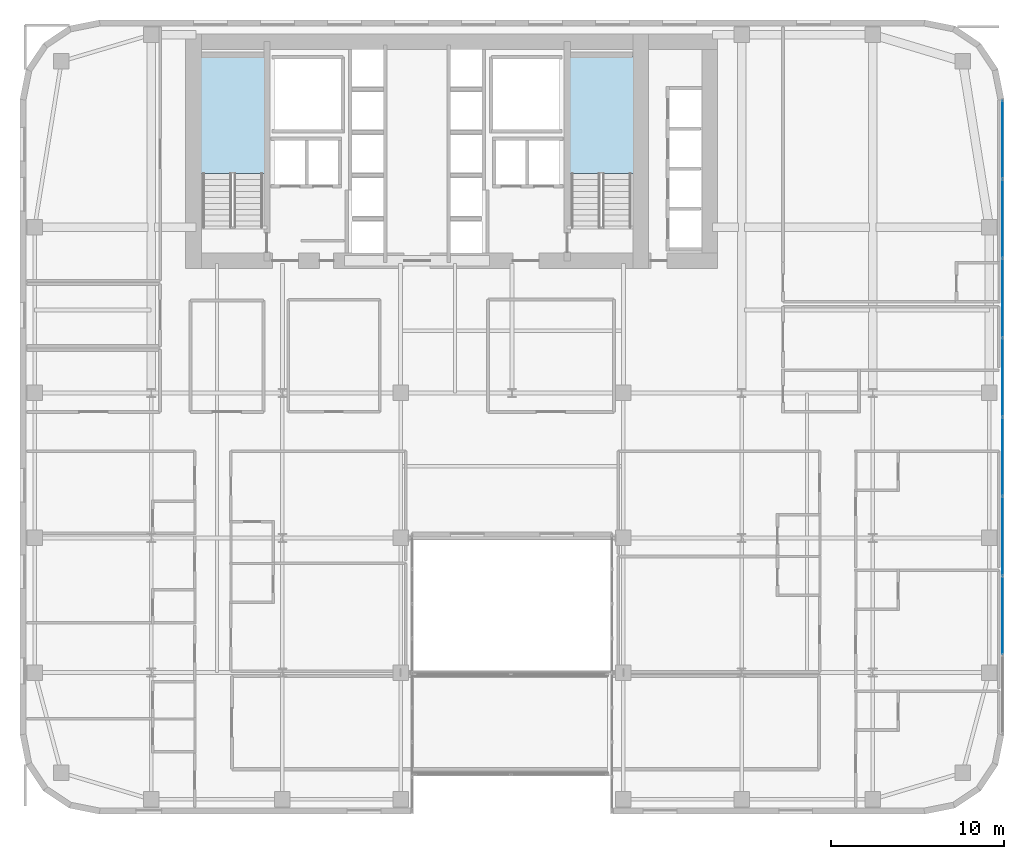
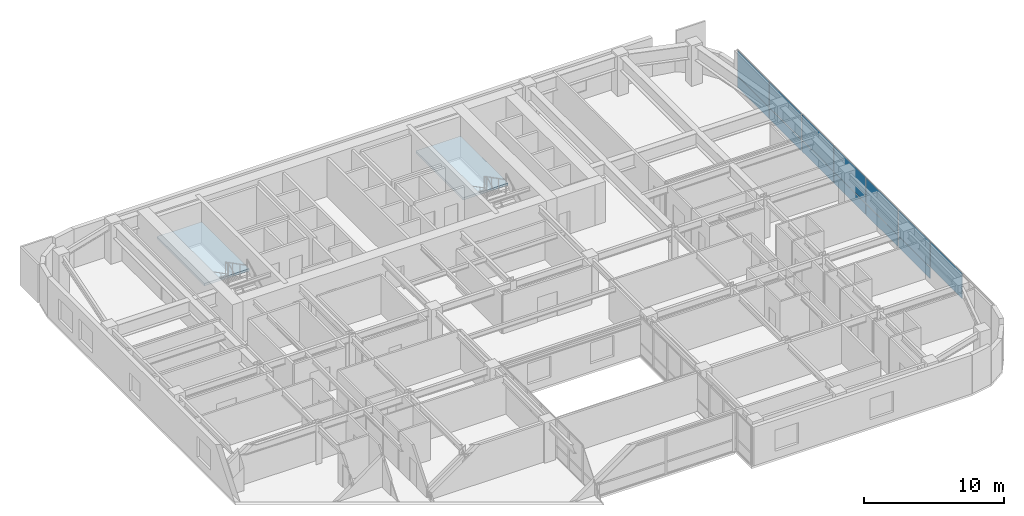
# One storey, part 16 of 25: 13 plates, 2 slabs, 3 elements without a shape of their own.
"""IFC4 building model written with IfcOpenShell, lengths in metres."""

from ifc_helpers import new_model, si_unit, direction, frame, origin, origin_2d, place, context, subcontext, project, spatial, polyline, rectangle, outline, extrude, source, transform, mapped, material, layer, layer_set, type_object, type_shapes, element, aggregate, save


model = new_model("IFC4")

# Units and contexts
model_context = context("Model", 3, precision=1e-05, world=origin(), true_north=direction((0.0, 1.0)))
body_context = subcontext(model_context, "Body", "Model", "MODEL_VIEW")
ifc_project = project(units=[si_unit("LENGTHUNIT", "METRE"), si_unit("AREAUNIT", "SQUARE_METRE"), si_unit("VOLUMEUNIT", "CUBIC_METRE"), si_unit("PLANEANGLEUNIT", "RADIAN"), si_unit("MASSUNIT", "GRAM", prefix="KILO")], contexts=[model_context])

# Site, building, storey
site_placement = place(None, origin())
site = spatial("IfcSite", under=ifc_project, at=site_placement, CompositionType="ELEMENT")
building_placement = place(site_placement, origin())
building = spatial("IfcBuilding", under=site, at=building_placement, Name="Tolvann Quenvar Hotel", CompositionType="ELEMENT")
storey_placement = place(building_placement, frame((0.0, 0.0, 78.14990234375)))
storey = spatial("IfcBuildingStorey", under=building, at=storey_placement, Name="L19", CompositionType="ELEMENT", Elevation=78.14990234375)

# Stair, slab
ifc_material_1 = material(Name="Concrete N40 (40 MPa)", Category="concrete")
stair_type = type_object("IfcStairType", Name="STAIR", PredefinedType="HALF_TURN_STAIR", material=ifc_material_1)
stair_1_placement = place(storey_placement, origin())
stair_1 = element("IfcStair", 1, at=stair_1_placement, inside=storey, type_object=stair_type, Name="L19 ST-C1", PredefinedType="HALF_TURN_STAIR")
ifc_layer_1 = layer(ifc_material_1, 0.199951171875)
ifc_layer_set_1 = layer_set([ifc_layer_1], Name="Concrete N40 (40 MPa)")
slab_type = type_object("IfcSlabType", Name="SLAB_LANDING", PredefinedType="LANDING", material=ifc_layer_set_1)
slab_1_placement = place(storey_placement, frame((0.0, 0.0, 1.5751953125)))
slab_1 = element("IfcSlab", 2, at=slab_1_placement, type_object=slab_type, Name="ST-C1 landing 1", PredefinedType="LANDING", context=body_context, shape_type="SweptSolid", body=[
    extrude(outline(polyline([(14.179931640625, 37.10498046875), (14.179931640625, 43.8798828125), (10.469970703125, 43.8798828125), (10.469970703125, 37.10498046875), (14.179931640625, 37.10498046875)])), origin(), (0.0, 0.0, 1.0), 0.199951171875),
])
aggregate(stair_1, [slab_1])

stair_2_placement = place(storey_placement, origin())
stair_2 = element("IfcStair", 3, at=stair_2_placement, inside=storey, type_object=stair_type, Name="L19 ST-C2", PredefinedType="HALF_TURN_STAIR")
slab_2_placement = place(storey_placement, frame((0.0, 0.0, 1.5751953125)))
slab_2 = element("IfcSlab", 4, at=slab_2_placement, type_object=slab_type, Name="ST-C2 landing 1", PredefinedType="LANDING", context=body_context, shape_type="SweptSolid", body=[
    extrude(outline(polyline([(35.530029296875, 37.10498046875), (35.530029296875, 43.8798828125), (31.820068359375, 43.8798828125), (31.820068359375, 37.10498046875), (35.530029296875, 37.10498046875)])), origin(), (0.0, 0.0, 1.0), 0.199951171875),
])
aggregate(stair_2, [slab_2])

# Curtain wall, plates
ifc_material_2 = material(Name="Thermally broken anodised architectural aluminium 6063-T6 and laminated low-E glass", Category="aluminium")
ifc_layer_2 = layer(ifc_material_2, 0.179931640625)
ifc_layer_set_2 = layer_set([ifc_layer_2], Name="Thermally broken anodised architectural aluminium 6063-T6 and laminated low-E glass")
curtain_wall_type = type_object("IfcCurtainWallType", Name="CW_SYS_BAND_04", PredefinedType="USERDEFINED", material=ifc_layer_set_2)
curtain_wall_placement = place(storey_placement, origin())
curtain_wall = element("IfcCurtainWall", 5, at=curtain_wall_placement, inside=storey, type_object=curtain_wall_type, Name="Curtain Wall CW-BAND-04 (CWR-L19-E13)", ObjectType="UNITISED CURTAIN WALL", PredefinedType="USERDEFINED")
ifc_material_3 = material(Name="Low-iron laminated double glazing with solar-control coating", Category="glass")
ifc_layer_3 = layer(ifc_material_3, 0.028076171875)
ifc_layer_set_3 = layer_set([ifc_layer_3], Name="Low-iron laminated double glazing with solar-control coating")
plate_type = type_object("IfcPlateType", Name="CW_PAN_VISION_28", PredefinedType="CURTAIN_PANEL", material=ifc_layer_set_3)
shared_shape_1 = source(origin(), body_context, "Body", "SweptSolid", [
    extrude(rectangle(XDim=4.49072265625, YDim=0.028076171875, at=origin_2d()), origin(), (0.0, 0.0, 1.0), 0.9599609375),
])
plate_1_placement = place(storey_placement, frame((56.909912109375, 39.0673828125, 0.06005859375), z_axis=(0.0, 0.0, 1.0), x_axis=(0.0, 1.0, 0.0)))
plate_1 = element("IfcPlate", 6, at=plate_1_placement, type_object=plate_type, Name="CW-BAND-04 panel 8.1", PredefinedType="CURTAIN_PANEL", context=body_context, shape_type="MappedRepresentation", body=[
    mapped(shared_shape_1, transform((0.0, 0.0, 0.0), x_axis=(1.0, 0.0, 0.0), y_axis=(0.0, 1.0, 0.0), z_axis=(0.0, 0.0, 1.0), scale=1.0)),
])
shared_shape_2 = source(origin(), body_context, "Body", "SweptSolid", [
    extrude(rectangle(XDim=4.49072265625, YDim=0.028076171875, at=origin_2d()), origin(), (0.0, 0.0, 1.0), 2.22998046875),
])
plate_2_placement = place(storey_placement, frame((56.909912109375, 39.0673828125, 1.080078125), z_axis=(0.0, 0.0, 1.0), x_axis=(0.0, 1.0, 0.0)))
plate_2 = element("IfcPlate", 7, at=plate_2_placement, type_object=plate_type, Name="CW-BAND-04 panel 8.2", PredefinedType="CURTAIN_PANEL", context=body_context, shape_type="MappedRepresentation", body=[
    mapped(shared_shape_2, transform((0.0, 0.0, 0.0), x_axis=(1.0, 0.0, 0.0), y_axis=(0.0, 1.0, 0.0), z_axis=(0.0, 0.0, 1.0), scale=1.0)),
])
shared_shape_3 = source(origin(), body_context, "Body", "SweptSolid", [
    extrude(rectangle(XDim=4.525634765625, YDim=0.028076171875, at=origin_2d()), origin(), (0.0, 0.0, 1.0), 0.9599609375),
])
plate_3_placement = place(storey_placement, frame((56.909912109375, 16.1064453125, 0.06005859375), z_axis=(0.0, 0.0, 1.0), x_axis=(0.0, 1.0, 0.0)))
plate_3 = element("IfcPlate", 8, at=plate_3_placement, type_object=plate_type, Name="CW-BAND-04 panel 3.1", PredefinedType="CURTAIN_PANEL", context=body_context, shape_type="MappedRepresentation", body=[
    mapped(shared_shape_3, transform((0.0, 0.0, 0.0), x_axis=(1.0, 0.0, 0.0), y_axis=(0.0, 1.0, 0.0), z_axis=(0.0, 0.0, 1.0), scale=1.0)),
])
plate_4_placement = place(storey_placement, frame((56.909912109375, 20.7021484375, 0.06005859375), z_axis=(0.0, 0.0, 1.0), x_axis=(0.0, 1.0, 0.0)))
plate_4 = element("IfcPlate", 9, at=plate_4_placement, type_object=plate_type, Name="CW-BAND-04 panel 4.1", PredefinedType="CURTAIN_PANEL", context=body_context, shape_type="MappedRepresentation", body=[
    mapped(shared_shape_3, transform((0.0, 0.0, 0.0), x_axis=(1.0, 0.0, 0.0), y_axis=(0.0, 1.0, 0.0), z_axis=(0.0, 0.0, 1.0), scale=1.0)),
])
plate_5_placement = place(storey_placement, frame((56.909912109375, 25.2978515625, 0.06005859375), z_axis=(0.0, 0.0, 1.0), x_axis=(0.0, 1.0, 0.0)))
plate_5 = element("IfcPlate", 10, at=plate_5_placement, type_object=plate_type, Name="CW-BAND-04 panel 5.1", PredefinedType="CURTAIN_PANEL", context=body_context, shape_type="MappedRepresentation", body=[
    mapped(shared_shape_3, transform((0.0, 0.0, 0.0), x_axis=(1.0, 0.0, 0.0), y_axis=(0.0, 1.0, 0.0), z_axis=(0.0, 0.0, 1.0), scale=1.0)),
])
plate_6_placement = place(storey_placement, frame((56.909912109375, 29.8935546875, 0.06005859375), z_axis=(0.0, 0.0, 1.0), x_axis=(0.0, 1.0, 0.0)))
plate_6 = element("IfcPlate", 11, at=plate_6_placement, type_object=plate_type, Name="CW-BAND-04 panel 6.1", PredefinedType="CURTAIN_PANEL", context=body_context, shape_type="MappedRepresentation", body=[
    mapped(shared_shape_3, transform((0.0, 0.0, 0.0), x_axis=(1.0, 0.0, 0.0), y_axis=(0.0, 1.0, 0.0), z_axis=(0.0, 0.0, 1.0), scale=1.0)),
])
plate_7_placement = place(storey_placement, frame((56.909912109375, 34.4892578125, 0.06005859375), z_axis=(0.0, 0.0, 1.0), x_axis=(0.0, 1.0, 0.0)))
plate_7 = element("IfcPlate", 12, at=plate_7_placement, type_object=plate_type, Name="CW-BAND-04 panel 7.1", PredefinedType="CURTAIN_PANEL", context=body_context, shape_type="MappedRepresentation", body=[
    mapped(shared_shape_3, transform((0.0, 0.0, 0.0), x_axis=(1.0, 0.0, 0.0), y_axis=(0.0, 1.0, 0.0), z_axis=(0.0, 0.0, 1.0), scale=1.0)),
])
shared_shape_4 = source(origin(), body_context, "Body", "SweptSolid", [
    extrude(rectangle(XDim=4.525634765625, YDim=0.028076171875, at=origin_2d()), origin(), (0.0, 0.0, 1.0), 2.22998046875),
])
type_shapes(plate_type, [shared_shape_1, shared_shape_2, shared_shape_3, shared_shape_4])
plate_8_placement = place(storey_placement, frame((56.909912109375, 11.5107421875, 1.080078125), z_axis=(0.0, 0.0, 1.0), x_axis=(0.0, 1.0, 0.0)))
plate_8 = element("IfcPlate", 13, at=plate_8_placement, type_object=plate_type, Name="CW-BAND-04 panel 2.2", PredefinedType="CURTAIN_PANEL", context=body_context, shape_type="MappedRepresentation", body=[
    mapped(shared_shape_4, transform((0.0, 0.0, 0.0), x_axis=(1.0, 0.0, 0.0), y_axis=(0.0, 1.0, 0.0), z_axis=(0.0, 0.0, 1.0), scale=1.0)),
])
plate_9_placement = place(storey_placement, frame((56.909912109375, 16.1064453125, 1.080078125), z_axis=(0.0, 0.0, 1.0), x_axis=(0.0, 1.0, 0.0)))
plate_9 = element("IfcPlate", 14, at=plate_9_placement, type_object=plate_type, Name="CW-BAND-04 panel 3.2", PredefinedType="CURTAIN_PANEL", context=body_context, shape_type="MappedRepresentation", body=[
    mapped(shared_shape_4, transform((0.0, 0.0, 0.0), x_axis=(1.0, 0.0, 0.0), y_axis=(0.0, 1.0, 0.0), z_axis=(0.0, 0.0, 1.0), scale=1.0)),
])
plate_10_placement = place(storey_placement, frame((56.909912109375, 20.7021484375, 1.080078125), z_axis=(0.0, 0.0, 1.0), x_axis=(0.0, 1.0, 0.0)))
plate_10 = element("IfcPlate", 15, at=plate_10_placement, type_object=plate_type, Name="CW-BAND-04 panel 4.2", PredefinedType="CURTAIN_PANEL", context=body_context, shape_type="MappedRepresentation", body=[
    mapped(shared_shape_4, transform((0.0, 0.0, 0.0), x_axis=(1.0, 0.0, 0.0), y_axis=(0.0, 1.0, 0.0), z_axis=(0.0, 0.0, 1.0), scale=1.0)),
])
plate_11_placement = place(storey_placement, frame((56.909912109375, 25.2978515625, 1.080078125), z_axis=(0.0, 0.0, 1.0), x_axis=(0.0, 1.0, 0.0)))
plate_11 = element("IfcPlate", 16, at=plate_11_placement, type_object=plate_type, Name="CW-BAND-04 panel 5.2", PredefinedType="CURTAIN_PANEL", context=body_context, shape_type="MappedRepresentation", body=[
    mapped(shared_shape_4, transform((0.0, 0.0, 0.0), x_axis=(1.0, 0.0, 0.0), y_axis=(0.0, 1.0, 0.0), z_axis=(0.0, 0.0, 1.0), scale=1.0)),
])
plate_12_placement = place(storey_placement, frame((56.909912109375, 29.8935546875, 1.080078125), z_axis=(0.0, 0.0, 1.0), x_axis=(0.0, 1.0, 0.0)))
plate_12 = element("IfcPlate", 17, at=plate_12_placement, type_object=plate_type, Name="CW-BAND-04 panel 6.2", PredefinedType="CURTAIN_PANEL", context=body_context, shape_type="MappedRepresentation", body=[
    mapped(shared_shape_4, transform((0.0, 0.0, 0.0), x_axis=(1.0, 0.0, 0.0), y_axis=(0.0, 1.0, 0.0), z_axis=(0.0, 0.0, 1.0), scale=1.0)),
])
plate_13_placement = place(storey_placement, frame((56.909912109375, 34.4892578125, 1.080078125), z_axis=(0.0, 0.0, 1.0), x_axis=(0.0, 1.0, 0.0)))
plate_13 = element("IfcPlate", 18, at=plate_13_placement, type_object=plate_type, Name="CW-BAND-04 panel 7.2", PredefinedType="CURTAIN_PANEL", context=body_context, shape_type="MappedRepresentation", body=[
    mapped(shared_shape_4, transform((0.0, 0.0, 0.0), x_axis=(1.0, 0.0, 0.0), y_axis=(0.0, 1.0, 0.0), z_axis=(0.0, 0.0, 1.0), scale=1.0)),
])
aggregate(curtain_wall, [plate_8, plate_3, plate_9, plate_4, plate_10, plate_5, plate_11, plate_6, plate_12, plate_7, plate_13, plate_1, plate_2])

save(model, "model.ifc")
